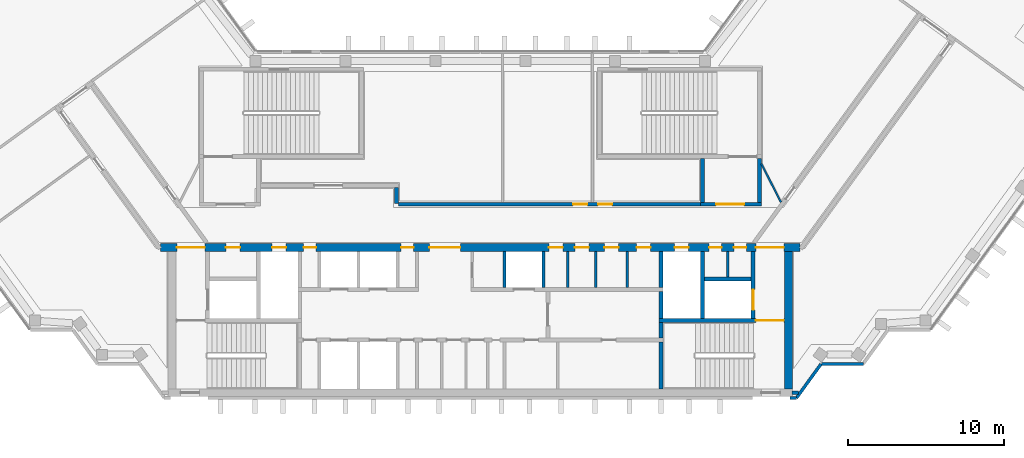
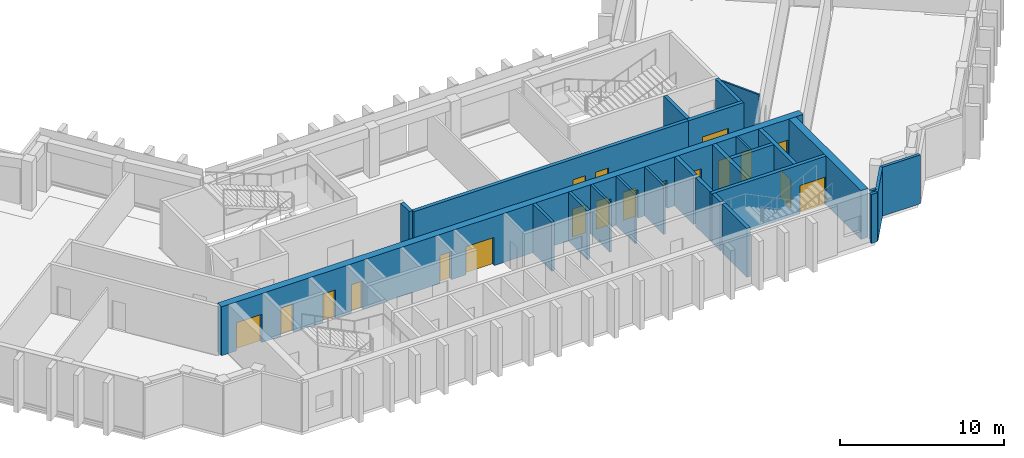
# One storey, part 6 of 9: 26 walls, 19 doors, 19 openings.
"""IFC4 building model written with IfcOpenShell, lengths in metres."""

from ifc_helpers import new_model, si_unit, direction, frame, frame_2d, origin, place, context, subcontext, project, spatial, rectangle, extrude, material, layer, layer_set, type_object, element, fill, save


model = new_model("IFC4")

# Units and contexts
model_context = context("Model", 3, precision=1e-05, world=origin(), true_north=direction((0.0, 1.0)))
body_context = subcontext(model_context, "Body", "Model", "MODEL_VIEW")
ifc_project = project(units=[si_unit("LENGTHUNIT", "METRE"), si_unit("AREAUNIT", "SQUARE_METRE"), si_unit("VOLUMEUNIT", "CUBIC_METRE"), si_unit("PLANEANGLEUNIT", "RADIAN"), si_unit("MASSUNIT", "GRAM", prefix="KILO")], contexts=[model_context])

# Site, building, storey
site_placement = place(None, origin())
site = spatial("IfcSite", under=ifc_project, at=site_placement, CompositionType="ELEMENT")
building_placement = place(site_placement, origin())
building = spatial("IfcBuilding", under=site, at=building_placement, Name="Quipu Civic Tower", CompositionType="ELEMENT")
storey_placement = place(building_placement, frame((0.0, 0.0, 293.0)))
storey = spatial("IfcBuildingStorey", under=building, at=storey_placement, Name="L68", CompositionType="ELEMENT", Elevation=293.0)

# Walls
ifc_material_1 = material(Name="Concrete C70/85", Category="concrete")
ifc_layer_1 = layer(ifc_material_1, 0.25)
ifc_layer_set_1 = layer_set([ifc_layer_1], Name="Concrete C70/85")
wall_type_1 = type_object("IfcWallType", Name="Core wall 250", PredefinedType="SHEAR", material=ifc_layer_set_1)
wall_1_placement = place(storey_placement, frame((11.574951171875, -10.5, 0.0), z_axis=(0.0, 0.0, 1.0), x_axis=(0.0, 1.0, 0.0)))
element("IfcWall", 1, at=wall_1_placement, inside=storey, type_object=wall_type_1, Name="Core wall", PredefinedType="SHEAR", context=body_context, shape_type="SweptSolid", body=[
    extrude(rectangle(XDim=3.0, YDim=0.25, at=frame_2d((1.5, 0.0))), origin(), (0.0, 0.0, 1.0), 3.64990234375),
])
wall_2_placement = place(storey_placement, frame((11.574951171875, -7.25, 0.0), z_axis=(0.0, 0.0, 1.0), x_axis=(0.0, 1.0, 0.0)))
element("IfcWall", 2, at=wall_2_placement, inside=storey, type_object=wall_type_1, Name="Core wall", PredefinedType="SHEAR", context=body_context, shape_type="SweptSolid", body=[
    extrude(rectangle(XDim=1.0, YDim=0.25, at=frame_2d((0.5, 0.0))), origin(), (0.0, 0.0, 1.0), 3.64990234375),
])

# Wall, opening, door
wall_3_placement = place(storey_placement, frame((19.5, -6.125, 0.0), z_axis=(0.0, 0.0, 1.0), x_axis=(-1.0, 0.0, 0.0)))
wall_3 = element("IfcWall", 3, at=wall_3_placement, inside=storey, type_object=wall_type_1, Name="Core wall", PredefinedType="SHEAR", context=body_context, shape_type="SweptSolid", body=[
    extrude(rectangle(XDim=8.050048828125, YDim=0.25, at=frame_2d((4.02490234375, 0.0))), origin(), (0.0, 0.0, 1.0), 3.64990234375),
])
opening_1_placement = place(wall_3_placement, frame((0.050048828125, 0.0, 0.0)))
opening_1 = element("IfcOpeningElement", 4, at=opening_1_placement, cuts=wall_3, Name="Opening CD-10", PredefinedType="OPENING", context=body_context, shape_type="SweptSolid", body=[
    extrude(rectangle(XDim=1.800048828125, YDim=2.10009765625, at=frame_2d((0.89990234375, 1.050048828125))), frame((0.0, 0.135009765625, 0.0), z_axis=(0.0, -1.0, 0.0), x_axis=(1.0, 0.0, 0.0)), (0.0, 0.0, 1.0), 0.27001953125),
])
ifc_material_2 = material(Name="Fire rated steel door", Category="steel")
door_type_1 = type_object("IfcDoorType", Name="Fire door FD90 double 1800 x 2100", OperationType="NOTDEFINED", PredefinedType="DOOR", material=ifc_material_2)
door_1_placement = place(opening_1_placement, origin())
door_1 = element("IfcDoor", 5, at=door_1_placement, inside=storey, type_object=door_type_1, Name="Door", OperationType="DOUBLE_DOOR_SINGLE_SWING", OverallHeight=2.10009765625, OverallWidth=1.800048828125, PredefinedType="DOOR", context=body_context, shape_type="SweptSolid", body=[
    extrude(rectangle(XDim=1.800048828125, YDim=2.10009765625, at=frame_2d((0.89990234375, 1.050048828125))), frame((0.0, 0.02490234375, 0.0), z_axis=(0.0, -1.0, 0.0), x_axis=(1.0, 0.0, 0.0)), (0.0, 0.0, 1.0), 0.050048828125),
])
fill(opening_1, door_1)

# Walls
wall_4_placement = place(storey_placement, frame((11.574951171875, -6.0, 0.0), z_axis=(0.0, 0.0, 1.0), x_axis=(0.0, 1.0, 0.0)))
element("IfcWall", 6, at=wall_4_placement, inside=storey, type_object=wall_type_1, Name="Core wall", PredefinedType="SHEAR", context=body_context, shape_type="SweptSolid", body=[
    extrude(rectangle(XDim=1.75, YDim=0.25, at=frame_2d((0.875, 0.0))), origin(), (0.0, 0.0, 1.0), 3.64990234375),
])
wall_5_placement = place(storey_placement, frame((14.22509765625, -6.0, 0.0), z_axis=(0.0, 0.0, 1.0), x_axis=(0.0, 1.0, 0.0)))
element("IfcWall", 7, at=wall_5_placement, inside=storey, type_object=wall_type_1, Name="Core wall", PredefinedType="SHEAR", context=body_context, shape_type="SweptSolid", body=[
    extrude(rectangle(XDim=4.300048828125, YDim=0.25, at=frame_2d((2.14990234375, 0.0))), origin(), (0.0, 0.0, 1.0), 3.64990234375),
])

# Wall, opening, door
wall_6_placement = place(storey_placement, frame((17.47509765625, -6.0, 0.0), z_axis=(0.0, 0.0, 1.0), x_axis=(0.0, 1.0, 0.0)))
wall_6 = element("IfcWall", 8, at=wall_6_placement, inside=storey, type_object=wall_type_1, Name="Core wall", PredefinedType="SHEAR", context=body_context, shape_type="SweptSolid", body=[
    extrude(rectangle(XDim=4.300048828125, YDim=0.25, at=frame_2d((2.14990234375, 0.0))), origin(), (0.0, 0.0, 1.0), 3.64990234375),
])
opening_2_placement = place(wall_6_placement, frame((0.550048828125, 0.0, 0.0)))
opening_2 = element("IfcOpeningElement", 9, at=opening_2_placement, cuts=wall_6, Name="Opening LD-FF2", PredefinedType="OPENING", context=body_context, shape_type="SweptSolid", body=[
    extrude(rectangle(XDim=1.300048828125, YDim=2.10009765625, at=frame_2d((0.64990234375, 1.050048828125))), frame((0.0, 0.135009765625, 0.0), z_axis=(0.0, -1.0, 0.0), x_axis=(1.0, 0.0, 0.0)), (0.0, 0.0, 1.0), 0.27001953125),
])
ifc_material_3 = material(Name="Stainless steel", Category="steel")
door_type_2 = type_object("IfcDoorType", Name="Lift landing door 1300 x 2100", OperationType="DOUBLE_DOOR_SLIDING", PredefinedType="DOOR", material=ifc_material_3)
door_2_placement = place(opening_2_placement, origin())
door_2 = element("IfcDoor", 10, at=door_2_placement, inside=storey, type_object=door_type_2, Name="Landing door FF2", OperationType="DOUBLE_DOOR_SLIDING", OverallHeight=2.10009765625, OverallWidth=1.300048828125, PredefinedType="DOOR", context=body_context, shape_type="SweptSolid", body=[
    extrude(rectangle(XDim=1.300048828125, YDim=2.10009765625, at=frame_2d((0.64990234375, 1.050048828125))), frame((0.0, 0.02490234375, 0.0), z_axis=(0.0, -1.0, 0.0), x_axis=(1.0, 0.0, 0.0)), (0.0, 0.0, 1.0), 0.050048828125),
])
fill(opening_2, door_2)

# Walls
wall_7_placement = place(storey_placement, frame((11.574951171875, -4.0, 0.0), z_axis=(0.0, 0.0, 1.0), x_axis=(0.0, 1.0, 0.0)))
element("IfcWall", 11, at=wall_7_placement, inside=storey, type_object=wall_type_1, Name="Core wall", PredefinedType="SHEAR", context=body_context, shape_type="SweptSolid", body=[
    extrude(rectangle(XDim=2.300048828125, YDim=0.25, at=frame_2d((1.14990234375, 0.0))), origin(), (0.0, 0.0, 1.0), 3.64990234375),
])
wall_8_placement = place(storey_placement, frame((14.35009765625, -3.47509765625, 0.0), z_axis=(0.0, 0.0, 1.0), x_axis=(1.0, 0.0, 0.0)))
element("IfcWall", 12, at=wall_8_placement, inside=storey, type_object=wall_type_1, Name="Core wall", PredefinedType="SHEAR", context=body_context, shape_type="SweptSolid", body=[
    extrude(rectangle(XDim=3.0, YDim=0.25, at=frame_2d((1.5, 0.0))), origin(), (0.0, 0.0, 1.0), 3.64990234375),
])

# Wall, opening, door
wall_9_placement = place(storey_placement, frame((14.10009765625, 1.324951171875, 0.0), z_axis=(0.0, 0.0, 1.0), x_axis=(1.0, 0.0, 0.0)))
wall_9 = element("IfcWall", 13, at=wall_9_placement, inside=storey, type_object=wall_type_1, Name="Core wall", PredefinedType="SHEAR", context=body_context, shape_type="SweptSolid", body=[
    extrude(rectangle(XDim=3.89990234375, YDim=0.25, at=frame_2d((1.949951171875, 0.0))), origin(), (0.0, 0.0, 1.0), 3.64990234375),
])
opening_3_placement = place(wall_9_placement, frame((1.0, 0.0, 0.0)))
opening_3 = element("IfcOpeningElement", 14, at=opening_3_placement, cuts=wall_9, Name="Opening CD-29", PredefinedType="OPENING", context=body_context, shape_type="SweptSolid", body=[
    extrude(rectangle(XDim=1.800048828125, YDim=2.10009765625, at=frame_2d((0.89990234375, 1.050048828125))), frame((0.0, 0.135009765625, 0.0), z_axis=(0.0, -1.0, 0.0), x_axis=(1.0, 0.0, 0.0)), (0.0, 0.0, 1.0), 0.27001953125),
])
door_3_placement = place(opening_3_placement, origin())
door_3 = element("IfcDoor", 15, at=door_3_placement, inside=storey, type_object=door_type_1, Name="Lobby door", OperationType="DOUBLE_DOOR_SINGLE_SWING", OverallHeight=2.10009765625, OverallWidth=1.800048828125, PredefinedType="DOOR", context=body_context, shape_type="SweptSolid", body=[
    extrude(rectangle(XDim=1.800048828125, YDim=2.10009765625, at=frame_2d((0.89990234375, 1.050048828125))), frame((0.0, 0.02490234375, 0.0), z_axis=(0.0, -1.0, 0.0), x_axis=(1.0, 0.0, 0.0)), (0.0, 0.0, 1.0), 0.050048828125),
])
fill(opening_3, door_3)

# Walls
for number, where, z_axis, x_axis, name in (
    (16, (14.22509765625, 1.449951171875, 0.0), (0.0, 0.0, 1.0), (0.0, 1.0, 0.0), "Core wall"),
    (17, (17.875, 1.449951171875, 0.0), (0.0, 0.0, 1.0), (0.0, 1.0, 0.0), "Core wall"),
):
    element("IfcWall", number, at=place(storey_placement, frame(where, z_axis=z_axis, x_axis=x_axis)), inside=storey, type_object=wall_type_1, Name=name, PredefinedType="SHEAR", context=body_context, shape_type="SweptSolid", body=[
        extrude(rectangle(XDim=2.800048828125, YDim=0.25, at=frame_2d((1.39990234375, 0.0))), origin(), (0.0, 0.0, 1.0), 3.64990234375),
    ])
ifc_material_4 = material(Name="Concrete C70/85", Category="concrete")
ifc_layer_2 = layer(ifc_material_4, 0.5)
ifc_layer_set_2 = layer_set([ifc_layer_2], Name="Concrete C70/85")
wall_type_2 = type_object("IfcWallType", Name="Core wall 500", PredefinedType="SHEAR", material=ifc_layer_set_2)
wall_10_placement = place(storey_placement, frame((19.75, -10.5, 0.0), z_axis=(0.0, 0.0, 1.0), x_axis=(0.0, 1.0, 0.0)))
element("IfcWall", 18, at=wall_10_placement, inside=storey, type_object=wall_type_2, Name="Core wall", PredefinedType="SHEAR", context=body_context, shape_type="SweptSolid", body=[
    extrude(rectangle(XDim=8.800048828125, YDim=0.5, at=frame_2d((4.39990234375, 0.0))), origin(), (0.0, 0.0, 1.0), 3.64990234375),
])

# Wall, openings, doors
wall_11_placement = place(storey_placement, frame((20.489990234375, -1.449951171875, 0.0), z_axis=(0.0, 0.0, 1.0), x_axis=(-1.0, 0.0, 0.0)))
wall_11 = element("IfcWall", 19, at=wall_11_placement, inside=storey, type_object=wall_type_2, Name="Core wall", PredefinedType="SHEAR", context=body_context, shape_type="SweptSolid", body=[
    extrude(rectangle(XDim=40.97998046875, YDim=0.5, at=frame_2d((20.489990234375, 0.0))), origin(), (0.0, 0.0, 1.0), 3.64990234375),
])
opening_4_placement = place(wall_11_placement, frame((38.139892578125, 0.0, 0.0)))
opening_4 = element("IfcOpeningElement", 20, at=opening_4_placement, cuts=wall_11, Name="Opening CD-13", PredefinedType="OPENING", context=body_context, shape_type="SweptSolid", body=[
    extrude(rectangle(XDim=1.800048828125, YDim=2.10009765625, at=frame_2d((0.89990234375, 1.050048828125))), frame((0.0, 0.260009765625, 0.0), z_axis=(0.0, -1.0, 0.0), x_axis=(1.0, 0.0, 0.0)), (0.0, 0.0, 1.0), 0.52001953125),
])
opening_5_placement = place(wall_11_placement, frame((35.889892578125, 0.0, 0.0)))
opening_5 = element("IfcOpeningElement", 21, at=opening_5_placement, cuts=wall_11, Name="Opening CD-14", PredefinedType="OPENING", context=body_context, shape_type="SweptSolid", body=[
    extrude(rectangle(XDim=0.89990234375, YDim=2.10009765625, at=frame_2d((0.449951171875, 1.050048828125))), frame((0.0, 0.260009765625, 0.0), z_axis=(0.0, -1.0, 0.0), x_axis=(1.0, 0.0, 0.0)), (0.0, 0.0, 1.0), 0.52001953125),
])
opening_6_placement = place(wall_11_placement, frame((32.93994140625, 0.0, 0.0)))
opening_6 = element("IfcOpeningElement", 22, at=opening_6_placement, cuts=wall_11, Name="Opening CD-15", PredefinedType="OPENING", context=body_context, shape_type="SweptSolid", body=[
    extrude(rectangle(XDim=0.89990234375, YDim=2.10009765625, at=frame_2d((0.449951171875, 1.050048828125))), frame((0.0, 0.260009765625, 0.0), z_axis=(0.0, -1.0, 0.0), x_axis=(1.0, 0.0, 0.0)), (0.0, 0.0, 1.0), 0.52001953125),
])
opening_7_placement = place(wall_11_placement, frame((31.014892578125, 0.0, 0.0)))
opening_7 = element("IfcOpeningElement", 23, at=opening_7_placement, cuts=wall_11, Name="Opening CD-16", PredefinedType="OPENING", context=body_context, shape_type="SweptSolid", body=[
    extrude(rectangle(XDim=0.800048828125, YDim=2.10009765625, at=frame_2d((0.39990234375, 1.050048828125))), frame((0.0, 0.260009765625, 0.0), z_axis=(0.0, -1.0, 0.0), x_axis=(1.0, 0.0, 0.0)), (0.0, 0.0, 1.0), 0.52001953125),
])
opening_8_placement = place(wall_11_placement, frame((24.764892578125, 0.0, 0.0)))
opening_8 = element("IfcOpeningElement", 24, at=opening_8_placement, cuts=wall_11, Name="Opening CD-17", PredefinedType="OPENING", context=body_context, shape_type="SweptSolid", body=[
    extrude(rectangle(XDim=0.800048828125, YDim=2.10009765625, at=frame_2d((0.39990234375, 1.050048828125))), frame((0.0, 0.260009765625, 0.0), z_axis=(0.0, -1.0, 0.0), x_axis=(1.0, 0.0, 0.0)), (0.0, 0.0, 1.0), 0.52001953125),
])
opening_9_placement = place(wall_11_placement, frame((21.764892578125, 0.0, 0.0)))
opening_9 = element("IfcOpeningElement", 25, at=opening_9_placement, cuts=wall_11, Name="Opening CD-18", PredefinedType="OPENING", context=body_context, shape_type="SweptSolid", body=[
    extrude(rectangle(XDim=2.0, YDim=2.10009765625, at=frame_2d((1.0, 1.050048828125))), frame((0.0, 0.260009765625, 0.0), z_axis=(0.0, -1.0, 0.0), x_axis=(1.0, 0.0, 0.0)), (0.0, 0.0, 1.0), 0.52001953125),
])
opening_10_placement = place(wall_11_placement, frame((15.202392578125, 0.0, 0.0)))
opening_10 = element("IfcOpeningElement", 26, at=opening_10_placement, cuts=wall_11, Name="Opening CD-19", PredefinedType="OPENING", context=body_context, shape_type="SweptSolid", body=[
    extrude(rectangle(XDim=0.89990234375, YDim=2.10009765625, at=frame_2d((0.449951171875, 1.050048828125))), frame((0.0, 0.260009765625, 0.0), z_axis=(0.0, -1.0, 0.0), x_axis=(1.0, 0.0, 0.0)), (0.0, 0.0, 1.0), 0.52001953125),
])
opening_11_placement = place(wall_11_placement, frame((13.5400390625, 0.0, 0.0)))
opening_11 = element("IfcOpeningElement", 27, at=opening_11_placement, cuts=wall_11, Name="Opening CD-20", PredefinedType="OPENING", context=body_context, shape_type="SweptSolid", body=[
    extrude(rectangle(XDim=0.89990234375, YDim=2.10009765625, at=frame_2d((0.449951171875, 1.050048828125))), frame((0.0, 0.260009765625, 0.0), z_axis=(0.0, -1.0, 0.0), x_axis=(1.0, 0.0, 0.0)), (0.0, 0.0, 1.0), 0.52001953125),
])
opening_12_placement = place(wall_11_placement, frame((11.639892578125, 0.0, 0.0)))
opening_12 = element("IfcOpeningElement", 28, at=opening_12_placement, cuts=wall_11, Name="Opening CD-21", PredefinedType="OPENING", context=body_context, shape_type="SweptSolid", body=[
    extrude(rectangle(XDim=0.89990234375, YDim=2.10009765625, at=frame_2d((0.449951171875, 1.050048828125))), frame((0.0, 0.260009765625, 0.0), z_axis=(0.0, -1.0, 0.0), x_axis=(1.0, 0.0, 0.0)), (0.0, 0.0, 1.0), 0.52001953125),
])
opening_13_placement = place(wall_11_placement, frame((9.577392578125, 0.0, 0.0)))
opening_13 = element("IfcOpeningElement", 29, at=opening_13_placement, cuts=wall_11, Name="Opening CD-22", PredefinedType="OPENING", context=body_context, shape_type="SweptSolid", body=[
    extrude(rectangle(XDim=0.89990234375, YDim=2.10009765625, at=frame_2d((0.449951171875, 1.050048828125))), frame((0.0, 0.260009765625, 0.0), z_axis=(0.0, -1.0, 0.0), x_axis=(1.0, 0.0, 0.0)), (0.0, 0.0, 1.0), 0.52001953125),
])
opening_14_placement = place(wall_11_placement, frame((7.139892578125, 0.0, 0.0)))
opening_14 = element("IfcOpeningElement", 30, at=opening_14_placement, cuts=wall_11, Name="Opening CD-23", PredefinedType="OPENING", context=body_context, shape_type="SweptSolid", body=[
    extrude(rectangle(XDim=0.89990234375, YDim=2.10009765625, at=frame_2d((0.449951171875, 1.050048828125))), frame((0.0, 0.260009765625, 0.0), z_axis=(0.0, -1.0, 0.0), x_axis=(1.0, 0.0, 0.0)), (0.0, 0.0, 1.0), 0.52001953125),
])
opening_15_placement = place(wall_11_placement, frame((5.027587890625, 0.0, 0.0)))
opening_15 = element("IfcOpeningElement", 31, at=opening_15_placement, cuts=wall_11, Name="Opening CD-24", PredefinedType="OPENING", context=body_context, shape_type="SweptSolid", body=[
    extrude(rectangle(XDim=0.800048828125, YDim=2.10009765625, at=frame_2d((0.39990234375, 1.050048828125))), frame((0.0, 0.260009765625, 0.0), z_axis=(0.0, -1.0, 0.0), x_axis=(1.0, 0.0, 0.0)), (0.0, 0.0, 1.0), 0.52001953125),
])
opening_16_placement = place(wall_11_placement, frame((3.452392578125, 0.0, 0.0)))
opening_16 = element("IfcOpeningElement", 32, at=opening_16_placement, cuts=wall_11, Name="Opening CD-25", PredefinedType="OPENING", context=body_context, shape_type="SweptSolid", body=[
    extrude(rectangle(XDim=0.800048828125, YDim=2.10009765625, at=frame_2d((0.39990234375, 1.050048828125))), frame((0.0, 0.260009765625, 0.0), z_axis=(0.0, -1.0, 0.0), x_axis=(1.0, 0.0, 0.0)), (0.0, 0.0, 1.0), 0.52001953125),
])
opening_17_placement = place(wall_11_placement, frame((1.0400390625, 0.0, 0.0)))
opening_17 = element("IfcOpeningElement", 33, at=opening_17_placement, cuts=wall_11, Name="Opening CD-26", PredefinedType="OPENING", context=body_context, shape_type="SweptSolid", body=[
    extrude(rectangle(XDim=1.800048828125, YDim=2.10009765625, at=frame_2d((0.89990234375, 1.050048828125))), frame((0.0, 0.260009765625, 0.0), z_axis=(0.0, -1.0, 0.0), x_axis=(1.0, 0.0, 0.0)), (0.0, 0.0, 1.0), 0.52001953125),
])
ifc_material_5 = material(Name="Fire rated steel door", Category="steel")
door_type_3 = type_object("IfcDoorType", Name="Fire door FD60 800 x 2100", OperationType="NOTDEFINED", PredefinedType="DOOR", material=ifc_material_5)
door_4_placement = place(opening_7_placement, origin())
door_4 = element("IfcDoor", 34, at=door_4_placement, inside=storey, type_object=door_type_3, Name="Door", OperationType="SINGLE_SWING_RIGHT", OverallHeight=2.10009765625, OverallWidth=0.800048828125, PredefinedType="DOOR", context=body_context, shape_type="SweptSolid", body=[
    extrude(rectangle(XDim=0.800048828125, YDim=2.10009765625, at=frame_2d((0.39990234375, 1.050048828125))), frame((0.0, 0.02490234375, 0.0), z_axis=(0.0, -1.0, 0.0), x_axis=(1.0, 0.0, 0.0)), (0.0, 0.0, 1.0), 0.050048828125),
])
fill(opening_7, door_4)
door_5_placement = place(opening_8_placement, origin())
door_5 = element("IfcDoor", 35, at=door_5_placement, inside=storey, type_object=door_type_3, Name="Door", OperationType="SINGLE_SWING_RIGHT", OverallHeight=2.10009765625, OverallWidth=0.800048828125, PredefinedType="DOOR", context=body_context, shape_type="SweptSolid", body=[
    extrude(rectangle(XDim=0.800048828125, YDim=2.10009765625, at=frame_2d((0.39990234375, 1.050048828125))), frame((0.0, 0.02490234375, 0.0), z_axis=(0.0, -1.0, 0.0), x_axis=(1.0, 0.0, 0.0)), (0.0, 0.0, 1.0), 0.050048828125),
])
fill(opening_8, door_5)
door_6_placement = place(opening_15_placement, origin())
door_6 = element("IfcDoor", 36, at=door_6_placement, inside=storey, type_object=door_type_3, Name="Door", OperationType="SINGLE_SWING_LEFT", OverallHeight=2.10009765625, OverallWidth=0.800048828125, PredefinedType="DOOR", context=body_context, shape_type="SweptSolid", body=[
    extrude(rectangle(XDim=0.800048828125, YDim=2.10009765625, at=frame_2d((0.39990234375, 1.050048828125))), frame((0.0, 0.02490234375, 0.0), z_axis=(0.0, -1.0, 0.0), x_axis=(1.0, 0.0, 0.0)), (0.0, 0.0, 1.0), 0.050048828125),
])
fill(opening_15, door_6)
door_7_placement = place(opening_16_placement, origin())
door_7 = element("IfcDoor", 37, at=door_7_placement, inside=storey, type_object=door_type_3, Name="Door", OperationType="SINGLE_SWING_LEFT", OverallHeight=2.10009765625, OverallWidth=0.800048828125, PredefinedType="DOOR", context=body_context, shape_type="SweptSolid", body=[
    extrude(rectangle(XDim=0.800048828125, YDim=2.10009765625, at=frame_2d((0.39990234375, 1.050048828125))), frame((0.0, 0.02490234375, 0.0), z_axis=(0.0, -1.0, 0.0), x_axis=(1.0, 0.0, 0.0)), (0.0, 0.0, 1.0), 0.050048828125),
])
fill(opening_16, door_7)
ifc_material_6 = material(Name="Fire rated steel door", Category="steel")
door_type_4 = type_object("IfcDoorType", Name="Fire door FD60 900 x 2100", OperationType="NOTDEFINED", PredefinedType="DOOR", material=ifc_material_6)
door_8_placement = place(opening_5_placement, origin())
door_8 = element("IfcDoor", 38, at=door_8_placement, inside=storey, type_object=door_type_4, Name="Door", OperationType="SINGLE_SWING_RIGHT", OverallHeight=2.10009765625, OverallWidth=0.89990234375, PredefinedType="DOOR", context=body_context, shape_type="SweptSolid", body=[
    extrude(rectangle(XDim=0.89990234375, YDim=2.10009765625, at=frame_2d((0.449951171875, 1.050048828125))), frame((0.0, 0.02490234375, 0.0), z_axis=(0.0, -1.0, 0.0), x_axis=(1.0, 0.0, 0.0)), (0.0, 0.0, 1.0), 0.050048828125),
])
fill(opening_5, door_8)
door_9_placement = place(opening_6_placement, origin())
door_9 = element("IfcDoor", 39, at=door_9_placement, inside=storey, type_object=door_type_4, Name="Riser door", OperationType="SINGLE_SWING_RIGHT", OverallHeight=2.10009765625, OverallWidth=0.89990234375, PredefinedType="DOOR", context=body_context, shape_type="SweptSolid", body=[
    extrude(rectangle(XDim=0.89990234375, YDim=2.10009765625, at=frame_2d((0.449951171875, 1.050048828125))), frame((0.0, 0.02490234375, 0.0), z_axis=(0.0, -1.0, 0.0), x_axis=(1.0, 0.0, 0.0)), (0.0, 0.0, 1.0), 0.050048828125),
])
fill(opening_6, door_9)
door_10_placement = place(opening_10_placement, origin())
door_10 = element("IfcDoor", 40, at=door_10_placement, inside=storey, type_object=door_type_4, Name="Door", OperationType="SINGLE_SWING_LEFT", OverallHeight=2.10009765625, OverallWidth=0.89990234375, PredefinedType="DOOR", context=body_context, shape_type="SweptSolid", body=[
    extrude(rectangle(XDim=0.89990234375, YDim=2.10009765625, at=frame_2d((0.449951171875, 1.050048828125))), frame((0.0, 0.02490234375, 0.0), z_axis=(0.0, -1.0, 0.0), x_axis=(1.0, 0.0, 0.0)), (0.0, 0.0, 1.0), 0.050048828125),
])
fill(opening_10, door_10)
door_11_placement = place(opening_11_placement, origin())
door_11 = element("IfcDoor", 41, at=door_11_placement, inside=storey, type_object=door_type_4, Name="Door", OperationType="SINGLE_SWING_LEFT", OverallHeight=2.10009765625, OverallWidth=0.89990234375, PredefinedType="DOOR", context=body_context, shape_type="SweptSolid", body=[
    extrude(rectangle(XDim=0.89990234375, YDim=2.10009765625, at=frame_2d((0.449951171875, 1.050048828125))), frame((0.0, 0.02490234375, 0.0), z_axis=(0.0, -1.0, 0.0), x_axis=(1.0, 0.0, 0.0)), (0.0, 0.0, 1.0), 0.050048828125),
])
fill(opening_11, door_11)
door_12_placement = place(opening_12_placement, origin())
door_12 = element("IfcDoor", 42, at=door_12_placement, inside=storey, type_object=door_type_4, Name="Door", OperationType="SINGLE_SWING_LEFT", OverallHeight=2.10009765625, OverallWidth=0.89990234375, PredefinedType="DOOR", context=body_context, shape_type="SweptSolid", body=[
    extrude(rectangle(XDim=0.89990234375, YDim=2.10009765625, at=frame_2d((0.449951171875, 1.050048828125))), frame((0.0, 0.02490234375, 0.0), z_axis=(0.0, -1.0, 0.0), x_axis=(1.0, 0.0, 0.0)), (0.0, 0.0, 1.0), 0.050048828125),
])
fill(opening_12, door_12)
door_13_placement = place(opening_13_placement, origin())
door_13 = element("IfcDoor", 43, at=door_13_placement, inside=storey, type_object=door_type_4, Name="Door", OperationType="SINGLE_SWING_LEFT", OverallHeight=2.10009765625, OverallWidth=0.89990234375, PredefinedType="DOOR", context=body_context, shape_type="SweptSolid", body=[
    extrude(rectangle(XDim=0.89990234375, YDim=2.10009765625, at=frame_2d((0.449951171875, 1.050048828125))), frame((0.0, 0.02490234375, 0.0), z_axis=(0.0, -1.0, 0.0), x_axis=(1.0, 0.0, 0.0)), (0.0, 0.0, 1.0), 0.050048828125),
])
fill(opening_13, door_13)
door_14_placement = place(opening_14_placement, origin())
door_14 = element("IfcDoor", 44, at=door_14_placement, inside=storey, type_object=door_type_4, Name="Riser door", OperationType="SINGLE_SWING_LEFT", OverallHeight=2.10009765625, OverallWidth=0.89990234375, PredefinedType="DOOR", context=body_context, shape_type="SweptSolid", body=[
    extrude(rectangle(XDim=0.89990234375, YDim=2.10009765625, at=frame_2d((0.449951171875, 1.050048828125))), frame((0.0, 0.02490234375, 0.0), z_axis=(0.0, -1.0, 0.0), x_axis=(1.0, 0.0, 0.0)), (0.0, 0.0, 1.0), 0.050048828125),
])
fill(opening_14, door_14)
door_15_placement = place(opening_4_placement, origin())
door_15 = element("IfcDoor", 45, at=door_15_placement, inside=storey, type_object=door_type_1, Name="Lobby door", OperationType="DOUBLE_DOOR_SINGLE_SWING", OverallHeight=2.10009765625, OverallWidth=1.800048828125, PredefinedType="DOOR", context=body_context, shape_type="SweptSolid", body=[
    extrude(rectangle(XDim=1.800048828125, YDim=2.10009765625, at=frame_2d((0.89990234375, 1.050048828125))), frame((0.0, 0.02490234375, 0.0), z_axis=(0.0, -1.0, 0.0), x_axis=(1.0, 0.0, 0.0)), (0.0, 0.0, 1.0), 0.050048828125),
])
fill(opening_4, door_15)
door_16_placement = place(opening_17_placement, origin())
door_16 = element("IfcDoor", 46, at=door_16_placement, inside=storey, type_object=door_type_1, Name="Lobby door", OperationType="DOUBLE_DOOR_SINGLE_SWING", OverallHeight=2.10009765625, OverallWidth=1.800048828125, PredefinedType="DOOR", context=body_context, shape_type="SweptSolid", body=[
    extrude(rectangle(XDim=1.800048828125, YDim=2.10009765625, at=frame_2d((0.89990234375, 1.050048828125))), frame((0.0, 0.02490234375, 0.0), z_axis=(0.0, -1.0, 0.0), x_axis=(1.0, 0.0, 0.0)), (0.0, 0.0, 1.0), 0.050048828125),
])
fill(opening_17, door_16)
ifc_material_7 = material(Name="Fire rated steel door", Category="steel")
door_type_5 = type_object("IfcDoorType", Name="Fire door FD90 double 2000 x 2100", OperationType="NOTDEFINED", PredefinedType="DOOR", material=ifc_material_7)
door_17_placement = place(opening_9_placement, origin())
door_17 = element("IfcDoor", 47, at=door_17_placement, inside=storey, type_object=door_type_5, Name="Lobby door", OperationType="DOUBLE_DOOR_SINGLE_SWING", OverallHeight=2.10009765625, OverallWidth=2.0, PredefinedType="DOOR", context=body_context, shape_type="SweptSolid", body=[
    extrude(rectangle(XDim=2.0, YDim=2.10009765625, at=frame_2d((1.0, 1.050048828125))), frame((0.0, 0.02490234375, 0.0), z_axis=(0.0, -1.0, 0.0), x_axis=(1.0, 0.0, 0.0)), (0.0, 0.0, 1.0), 0.050048828125),
])
fill(opening_9, door_17)

# Wall
ifc_material_8 = material(Name="Concrete C50/60", Category="concrete")
ifc_layer_3 = layer(ifc_material_8, 0.25)
ifc_layer_set_3 = layer_set([ifc_layer_3], Name="Concrete C50/60")
wall_type_3 = type_object("IfcWallType", Name="Corridor wall 250 concrete", PredefinedType="SOLIDWALL", material=ifc_layer_set_3)
wall_12_placement = place(storey_placement, frame((-5.375, 2.39990234375, 0.0), z_axis=(0.0, 0.0, 1.0), x_axis=(0.0, -1.0, 0.0)))
element("IfcWall", 48, at=wall_12_placement, inside=storey, type_object=wall_type_3, Name="Corridor wall C08", PredefinedType="SOLIDWALL", context=body_context, shape_type="SweptSolid", body=[
    extrude(rectangle(XDim=1.041259765625, YDim=0.25, at=frame_2d((0.5205078125, 0.0))), origin(), (0.0, 0.0, 1.0), 3.64990234375),
])

# Wall, openings, doors
wall_13_placement = place(storey_placement, frame((-5.246337890625, 1.324951171875, 0.0), z_axis=(0.0, 0.0, 1.0), x_axis=(1.0, 0.0, 0.0)))
wall_13 = element("IfcWall", 49, at=wall_13_placement, inside=storey, type_object=wall_type_3, Name="Corridor wall C09", PredefinedType="SOLIDWALL", context=body_context, shape_type="SweptSolid", body=[
    extrude(rectangle(XDim=19.33642578125, YDim=0.25, at=frame_2d((9.668212890625, 0.0))), origin(), (0.0, 0.0, 1.0), 3.64990234375),
])
opening_18_placement = place(wall_13_placement, frame((11.1943359375, 0.0, 0.0)))
opening_18 = element("IfcOpeningElement", 50, at=opening_18_placement, cuts=wall_13, Name="Opening D005", PredefinedType="OPENING", context=body_context, shape_type="SweptSolid", body=[
    extrude(rectangle(XDim=0.89990234375, YDim=2.10009765625, at=frame_2d((0.449951171875, 1.050048828125))), frame((0.0, 0.135009765625, 0.0), z_axis=(0.0, -1.0, 0.0), x_axis=(1.0, 0.0, 0.0)), (0.0, 0.0, 1.0), 0.27001953125),
])
opening_19_placement = place(wall_13_placement, frame((12.794189453125, 0.0, 0.0)))
opening_19 = element("IfcOpeningElement", 51, at=opening_19_placement, cuts=wall_13, Name="Opening D006", PredefinedType="OPENING", context=body_context, shape_type="SweptSolid", body=[
    extrude(rectangle(XDim=0.89990234375, YDim=2.10009765625, at=frame_2d((0.449951171875, 1.050048828125))), frame((0.0, 0.135009765625, 0.0), z_axis=(0.0, -1.0, 0.0), x_axis=(1.0, 0.0, 0.0)), (0.0, 0.0, 1.0), 0.27001953125),
])
ifc_material_9 = material(Name="Fire rated timber door set with metal frame", Category="wood")
door_type_6 = type_object("IfcDoorType", Name="Single door 900 x 2100 FD60", OperationType="NOTDEFINED", PredefinedType="DOOR", material=ifc_material_9)
door_18_placement = place(opening_18_placement, origin())
door_18 = element("IfcDoor", 52, at=door_18_placement, inside=storey, type_object=door_type_6, Name="Door D005", OperationType="SINGLE_SWING_RIGHT", OverallHeight=2.10009765625, OverallWidth=0.89990234375, PredefinedType="DOOR", context=body_context, shape_type="SweptSolid", body=[
    extrude(rectangle(XDim=0.89990234375, YDim=2.10009765625, at=frame_2d((0.449951171875, 1.050048828125))), frame((0.0, 0.02490234375, 0.0), z_axis=(0.0, -1.0, 0.0), x_axis=(1.0, 0.0, 0.0)), (0.0, 0.0, 1.0), 0.050048828125),
])
fill(opening_18, door_18)
door_19_placement = place(opening_19_placement, origin())
door_19 = element("IfcDoor", 53, at=door_19_placement, inside=storey, type_object=door_type_6, Name="Door D006", OperationType="SINGLE_SWING_LEFT", OverallHeight=2.10009765625, OverallWidth=0.89990234375, PredefinedType="DOOR", context=body_context, shape_type="SweptSolid", body=[
    extrude(rectangle(XDim=0.89990234375, YDim=2.10009765625, at=frame_2d((0.449951171875, 1.050048828125))), frame((0.0, 0.02490234375, 0.0), z_axis=(0.0, -1.0, 0.0), x_axis=(1.0, 0.0, 0.0)), (0.0, 0.0, 1.0), 0.050048828125),
])
fill(opening_19, door_19)

# Walls
ifc_material_10 = material(Name="Gypsum plasterboard on light gauge framing")
ifc_layer_4 = layer(ifc_material_10, 0.1201171875)
ifc_layer_set_4 = layer_set([ifc_layer_4], Name="Gypsum plasterboard on light gauge framing")
wall_type_4 = type_object("IfcWallType", Name="Partition 120 plasterboard", PredefinedType="PARTITIONING", material=ifc_layer_set_4)
wall_14_placement = place(storey_placement, frame((18.0, 3.925048828125, 0.0), z_axis=(0.0, 0.0, 1.0), x_axis=(0.453950796792, -0.891026752736, 0.0)))
element("IfcWall", 54, at=wall_14_placement, inside=storey, type_object=wall_type_4, Name="Partition P08", PredefinedType="PARTITIONING", context=body_context, shape_type="SweptSolid", body=[
    extrude(rectangle(XDim=2.77783203125, YDim=0.1201171875, at=frame_2d((1.388916015625, 0.0))), origin(), (0.0, 0.0, 1.0), 3.64990234375),
])
ifc_material_11 = material(Name="Gypsum board partition")
ifc_layer_5 = layer(ifc_material_11, 0.14990234375)
ifc_layer_set_5 = layer_set([ifc_layer_5], Name="Gypsum board partition")
wall_type_5 = type_object("IfcWallType", Name="Partition 150", PredefinedType="PARTITIONING", material=ifc_layer_set_5)
for number, where, z_axis, x_axis, name in (
    (55, (5.60009765625, -4.0, 0.0), (0.0, 0.0, 1.0), (0.0, 1.0, 0.0), "Partition"),
    (56, (7.39990234375, -4.0, 0.0), (0.0, 0.0, 1.0), (0.0, 1.0, 0.0), "Partition"),
    (57, (9.39990234375, -4.0, 0.0), (0.0, 0.0, 1.0), (0.0, 1.0, 0.0), "Partition"),
):
    element("IfcWall", number, at=place(storey_placement, frame(where, z_axis=z_axis, x_axis=x_axis)), inside=storey, type_object=wall_type_5, Name=name, PredefinedType="PARTITIONING", context=body_context, shape_type="SweptSolid", body=[
        extrude(rectangle(XDim=2.300048828125, YDim=0.14990234375, at=frame_2d((1.14990234375, 0.0))), origin(), (0.0, 0.0, 1.0), 3.64990234375),
    ])
wall_15_placement = place(storey_placement, frame((15.85009765625, -3.35009765625, 0.0), z_axis=(0.0, 0.0, 1.0), x_axis=(0.0, 1.0, 0.0)))
element("IfcWall", 58, at=wall_15_placement, inside=storey, type_object=wall_type_5, Name="Partition", PredefinedType="PARTITIONING", context=body_context, shape_type="SweptSolid", body=[
    extrude(rectangle(XDim=1.650146484375, YDim=0.14990234375, at=frame_2d((0.8251953125, 0.0))), origin(), (0.0, 0.0, 1.0), 3.64990234375),
])
ifc_material_12 = material(Name="Precast concrete C40/50", Category="concrete")
wall_type_6 = type_object("IfcWallType", Name="Precast cladding wall", PredefinedType="SOLIDWALL", material=ifc_material_12)
wall_16_placement = place(storey_placement, frame((19.85009765625, -11.087890625, 0.0), z_axis=(0.0, 0.0, 1.0), x_axis=(1.0, 0.0, 0.0)))
element("IfcWall", 59, at=wall_16_placement, inside=storey, type_object=wall_type_6, Name="Precast cladding wall L68 18", PredefinedType="SOLIDWALL", context=body_context, shape_type="SweptSolid", body=[
    extrude(rectangle(XDim=0.40576171875, YDim=0.199951171875, at=frame_2d((0.202880859375, 0.0))), origin(), (0.0, 0.0, 1.0), 3.64990234375),
])
wall_17_placement = place(storey_placement, frame((20.253173828125, -11.083251953125, 0.0), z_axis=(0.0, 0.0, 1.0), x_axis=(0.587766567315, 0.809030569476, 0.0)))
element("IfcWall", 60, at=wall_17_placement, inside=storey, type_object=wall_type_6, Name="Precast cladding wall L68 19", PredefinedType="SOLIDWALL", context=body_context, shape_type="SweptSolid", body=[
    extrude(rectangle(XDim=2.687744140625, YDim=0.199951171875, at=frame_2d((1.34375, 0.0))), origin(), (0.0, 0.0, 1.0), 3.64990234375),
])
wall_18_placement = place(storey_placement, frame((21.8427734375, -8.90380859375, 0.0), z_axis=(0.0, 0.0, 1.0), x_axis=(1.0, 0.0, 0.0)))
element("IfcWall", 61, at=wall_18_placement, inside=storey, type_object=wall_type_6, Name="Precast cladding wall L68 20", PredefinedType="SOLIDWALL", context=body_context, shape_type="SweptSolid", body=[
    extrude(rectangle(XDim=2.699951171875, YDim=0.199951171875, at=frame_2d((1.35009765625, 0.0))), origin(), (0.0, 0.0, 1.0), 3.64990234375),
])
wall_19_placement = place(storey_placement, frame((19.97998046875, -10.75, 0.0), z_axis=(0.0, 0.0, 1.0), x_axis=(1.0, 0.0, 0.0)))
element("IfcWall", 62, at=wall_19_placement, inside=storey, type_object=wall_type_6, Name="Precast cladding return L68 E", PredefinedType="SOLIDWALL", context=body_context, shape_type="SweptSolid", body=[
    extrude(rectangle(XDim=0.41650390625, YDim=0.199951171875, at=frame_2d((0.208251953125, 0.0))), origin(), (0.0, 0.0, 1.0), 3.64990234375),
])
ifc_material_13 = material(Name="Concrete C40/50", Category="concrete")
ifc_layer_6 = layer(ifc_material_13, 0.199951171875)
ifc_layer_set_6 = layer_set([ifc_layer_6], Name="Concrete C40/50")
wall_type_7 = type_object("IfcWallType", Name="Shaft wall 200", PredefinedType="SOLIDWALL", material=ifc_layer_set_6)
for number, where, z_axis, x_axis, name in (
    (63, (1.550048828125, -4.0, 0.0), (0.0, 0.0, 1.0), (0.0, 1.0, 0.0), "Shaft wall"),
    (64, (4.050048828125, -4.0, 0.0), (0.0, 0.0, 1.0), (0.0, 1.0, 0.0), "Shaft wall"),
):
    element("IfcWall", number, at=place(storey_placement, frame(where, z_axis=z_axis, x_axis=x_axis)), inside=storey, type_object=wall_type_7, Name=name, PredefinedType="SOLIDWALL", context=body_context, shape_type="SweptSolid", body=[
        extrude(rectangle(XDim=2.300048828125, YDim=0.199951171875, at=frame_2d((1.14990234375, 0.0))), origin(), (0.0, 0.0, 1.0), 3.64990234375),
    ])

save(model, "model.ifc")
